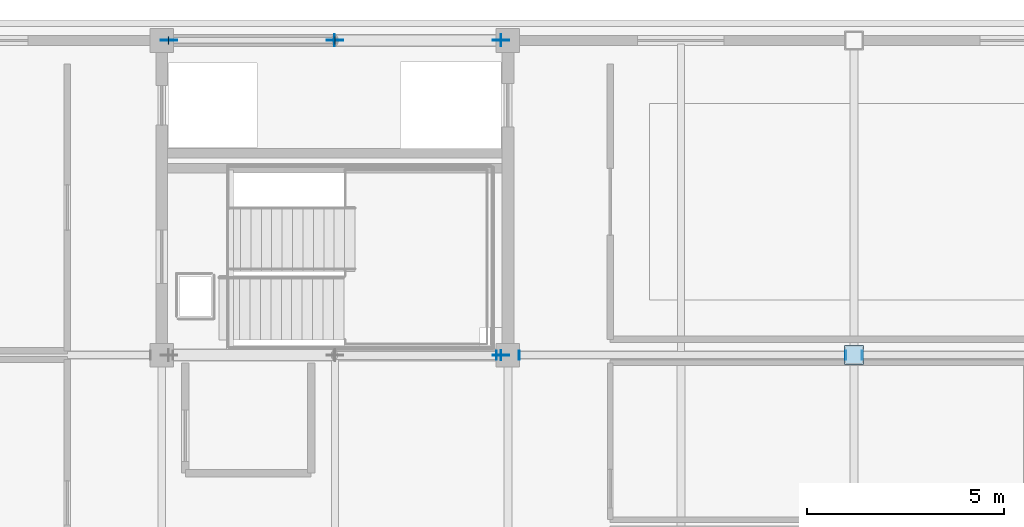
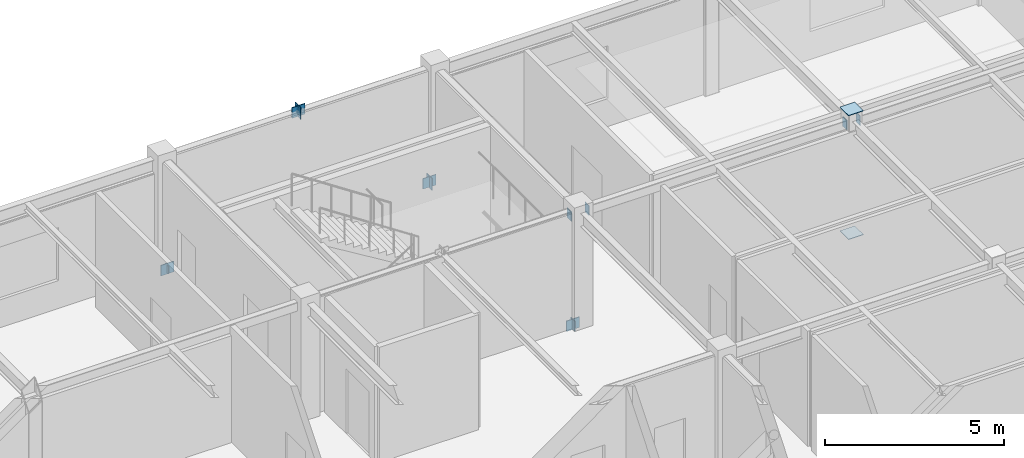
# One storey, part 10 of 18: 15 plates.
"""IFC4 building model written with IfcOpenShell, lengths in metres."""

import ifcopenshell
import ifcopenshell.guid

model = None  # the IFC model being written
_history = None  # IfcOwnerHistory: only IFC2X3 demands one
_inside = {}  # id of a spatial element -> (the spatial element, [elements in it])
_under = {}  # id of a project, library or spatial element -> (it, [spatial elements below it])
_declared = {}  # id of a project -> (the project, [libraries it declares])
_typed = {}  # id of a type object -> (the type object, [elements of that type])
_made_of = {}  # id of a material, layer set ... -> (it, [elements and type objects made of it])


def new_model(schema):
    """Start an empty IFC model of exactly this schema.

    Asked for "IFC4X3", IfcOpenShell would pick the latest addendum, in which some entities
    have other attributes; the version numbers below select the first issue.
    IFC2X3 requires an IfcOwnerHistory on every rooted entity: one is made here for all.
    """
    global model, _history
    if schema == "IFC4X3":
        model = ifcopenshell.file(schema_version=(4, 3, 0, 0))
    else:
        model = ifcopenshell.file(schema=schema)
    _inside.clear()
    _under.clear()
    _declared.clear()
    _typed.clear()
    _made_of.clear()
    _history = None
    if model.schema == "IFC2X3":
        org = make("IfcOrganization", Name="unknown")
        user = make(
            "IfcPersonAndOrganization",
            ThePerson=make("IfcPerson", FamilyName="unknown"),
            TheOrganization=org,
        )
        app = make(
            "IfcApplication",
            ApplicationDeveloper=org,
            Version="unknown",
            ApplicationFullName="unknown",
            ApplicationIdentifier="unknown",
        )
        _history = make(
            "IfcOwnerHistory",
            OwningUser=user,
            OwningApplication=app,
            ChangeAction="ADDED",
            CreationDate=0,
        )
    return model


def make(cls, **values):
    """One entity of the class cls with the attributes given. An attribute that is None is left unset."""
    return model.create_entity(
        cls, **{name: value for name, value in values.items() if value is not None}
    )


def rooted(cls, **values):
    """An entity with a GlobalId (a new one), such as an element, a storey or a relation."""
    return make(cls, GlobalId=ifcopenshell.guid.new(), OwnerHistory=_history, **values)


def si_unit(unit_type, name, prefix=None):
    """IfcSIUnit, for example si_unit("LENGTHUNIT", "METRE", prefix="MILLI")."""
    return make("IfcSIUnit", UnitType=unit_type, Prefix=prefix, Name=name)


def assignment(units):
    """IfcUnitAssignment: the units of a project."""
    return None if units is None else make("IfcUnitAssignment", Units=units)


def point(xyz):
    """IfcCartesianPoint."""
    return None if xyz is None else make("IfcCartesianPoint", Coordinates=xyz)


def direction(xyz):
    """IfcDirection."""
    return None if xyz is None else make("IfcDirection", DirectionRatios=xyz)


def frame(location, z_axis=None, x_axis=None):
    """IfcAxis2Placement3D, a coordinate frame: its origin and axes. An axis left out is left unset."""
    return make(
        "IfcAxis2Placement3D",
        Location=point(location),
        Axis=direction(z_axis),
        RefDirection=direction(x_axis),
    )


def frame_2d(location, x_axis=None):
    """IfcAxis2Placement2D, a coordinate frame in the plane: its origin and x axis."""
    return make(
        "IfcAxis2Placement2D", Location=point(location), RefDirection=direction(x_axis)
    )


def origin():
    """The frame at (0, 0, 0) with its axes left unset."""
    return frame((0.0, 0.0, 0.0))


def origin_2d():
    """The frame at (0, 0) in the plane with its x axis left unset."""
    return frame_2d((0.0, 0.0))


def place(relative_to, where):
    """IfcLocalPlacement: puts the frame where relative to a parent placement (None: the world)."""
    return make(
        "IfcLocalPlacement", PlacementRelTo=relative_to, RelativePlacement=where
    )


def context(
    kind, dimensions, precision=None, world=None, true_north=None, identifier=None
):
    """IfcGeometricRepresentationContext, for example the 3D "Model" context."""
    return make(
        "IfcGeometricRepresentationContext",
        ContextIdentifier=identifier,
        ContextType=kind,
        CoordinateSpaceDimension=dimensions,
        Precision=precision,
        WorldCoordinateSystem=world,
        TrueNorth=true_north,
    )


def subcontext(parent, identifier, kind, view, scale=None):
    """IfcGeometricRepresentationSubContext, for example "Body" below "Model"."""
    return make(
        "IfcGeometricRepresentationSubContext",
        ContextIdentifier=identifier,
        ContextType=kind,
        ParentContext=parent,
        TargetScale=scale,
        TargetView=view,
    )


def project(units=None, contexts=None):
    """IfcProject with its units and contexts."""
    return rooted(
        "IfcProject",
        Name="project",
        RepresentationContexts=contexts,
        UnitsInContext=assignment(units),
    )


def spatial(cls, under=None, at=None, **own):
    """A site, building, storey or space (cls), placed at a placement, below another one or the project."""
    s = rooted(cls, ObjectPlacement=at, **own)
    if under is not None:
        _under.setdefault(under.id(), (under, []))[1].append(s)
    return s


def profile(cls, at=None, kind="AREA", **sizes):
    """A parametric profile (cls). Its sizes go by their IFC names, for example OverallWidth=200.0."""
    return make(cls, ProfileType=kind, Position=at, **sizes)


def rectangle(**sizes):
    """IfcRectangleProfileDef."""
    return profile("IfcRectangleProfileDef", **sizes)


def extrude(swept, where, along, depth):
    """IfcExtrudedAreaSolid: the profile swept, set in the frame where, extruded along a direction by depth."""
    return make(
        "IfcExtrudedAreaSolid",
        SweptArea=swept,
        Position=where,
        ExtrudedDirection=direction(along),
        Depth=depth,
    )


def shape(context_of_items, identifier, shape_type, items):
    """IfcShapeRepresentation: the items that make up one representation, for example the "Body"."""
    return make(
        "IfcShapeRepresentation",
        ContextOfItems=context_of_items,
        RepresentationIdentifier=identifier,
        RepresentationType=shape_type,
        Items=items,
    )


def material(Name=None, Category=None):
    """IfcMaterial."""
    return make("IfcMaterial", Name=Name, Category=Category)


def layer(
    of_material, thickness, ventilated=None, Name=None, Category=None, Priority=None
):
    """IfcMaterialLayer: one layer of a wall or slab, of a material (None: an air gap)."""
    return make(
        "IfcMaterialLayer",
        Material=of_material,
        LayerThickness=thickness,
        IsVentilated=ventilated,
        Name=Name,
        Category=Category,
        Priority=Priority,
    )


def layer_set(layers, Name=None):
    """IfcMaterialLayerSet."""
    return make("IfcMaterialLayerSet", MaterialLayers=layers, LayerSetName=Name)


def made_of(thing, what):
    """Note that an element or type object is made of a material, layer set ...; save() writes the relation."""
    if what is not None:
        _made_of.setdefault(what.id(), (what, []))[1].append(thing)
    return thing


def type_object(cls, material=None, **own):
    """A type object (cls), such as IfcWallType, which elements share."""
    return made_of(rooted(cls, **own), material)


def element(
    cls,
    number,
    at=None,
    inside=None,
    cuts=None,
    type_object=None,
    material=None,
    context=None,
    identifier="Body",
    shape_type=None,
    held_by="IfcProductDefinitionShape",
    body=None,
    shapes=None,
    **own,
):
    """One element of the class cls, such as IfcWall. Its Tag is "e" and its number.

    at: its placement. inside: the storey or other place that contains it. cuts: it is an
    opening in that element (IfcRelVoidsElement). A single representation is given by context,
    identifier, shape_type and body (its items); several are given by shapes. held_by: the class
    of the entity that holds the representations. save() writes the other relations.
    """
    e = rooted(cls, Tag="e%d" % number, ObjectPlacement=at, **own)
    if body is not None:
        shapes = [shape(context, identifier, shape_type, body)]
    if shapes is not None:
        e.Representation = make(held_by, Representations=shapes)
    if inside is not None:
        _inside.setdefault(inside.id(), (inside, []))[1].append(e)
    if cuts is not None:
        rooted(
            "IfcRelVoidsElement", RelatingBuildingElement=cuts, RelatedOpeningElement=e
        )
    if type_object is not None:
        _typed.setdefault(type_object.id(), (type_object, []))[1].append(e)
    return made_of(e, material)


def aggregate(whole, parts):
    """IfcRelAggregates: a whole, such as a stair, and the parts it consists of."""
    return rooted("IfcRelAggregates", RelatingObject=whole, RelatedObjects=parts)


def save(model, path):
    """Write the relations noted so far, then the file.

    IfcRelAggregates (storeys below a building ...), IfcRelContainedInSpatialStructure (elements
    in a storey), IfcRelDefinesByType, IfcRelAssociatesMaterial and IfcRelDeclares: one each for
    every whole, place, type object, material and project.
    """
    for whole, parts in _under.values():
        aggregate(whole, parts)
    for where, things in _inside.values():
        rooted(
            "IfcRelContainedInSpatialStructure",
            RelatedElements=things,
            RelatingStructure=where,
        )
    for kind, things in _typed.values():
        rooted("IfcRelDefinesByType", RelatedObjects=things, RelatingType=kind)
    for what, things in _made_of.values():
        rooted("IfcRelAssociatesMaterial", RelatedObjects=things, RelatingMaterial=what)
    for by, libraries in _declared.values():
        rooted("IfcRelDeclares", RelatingContext=by, RelatedDefinitions=libraries)
    model.write(path)


model = new_model("IFC4")

# Units and contexts
model_context = context("Model", 3, precision=1e-05, world=origin(), true_north=direction((0.0, 1.0)))
body_context = subcontext(model_context, "Body", "Model", "MODEL_VIEW")
ifc_project = project(units=[si_unit("LENGTHUNIT", "METRE"), si_unit("AREAUNIT", "SQUARE_METRE"), si_unit("VOLUMEUNIT", "CUBIC_METRE"), si_unit("PLANEANGLEUNIT", "RADIAN"), si_unit("MASSUNIT", "GRAM", prefix="KILO")], contexts=[model_context])

# Site, building, storey
site_placement = place(None, origin())
site = spatial("IfcSite", under=ifc_project, at=site_placement, CompositionType="ELEMENT")
building_placement = place(site_placement, origin())
building = spatial("IfcBuilding", under=site, at=building_placement, Name="Zhaolan Boulevard Law Courts", CompositionType="ELEMENT")
storey_placement = place(building_placement, frame((0.0, 0.0, 33.0)))
storey = spatial("IfcBuildingStorey", under=building, at=storey_placement, Name="L07", CompositionType="ELEMENT", Elevation=33.0)

# Plates
ifc_material_1 = material(Name="Structural steel Q355B", Category="steel")
ifc_layer_1 = layer(ifc_material_1, 0.02392578125)
ifc_layer_set_1 = layer_set([ifc_layer_1])
plate_type_1 = type_object("IfcPlateType", Name="BRACE GUSSET PLATE 24", PredefinedType="SHEET", material=ifc_layer_set_1)
for number, where, z_axis, x_axis, name in (
    (1, (17.780029296875, 70.0, -0.14990234375), (0.0, 0.0, 1.0), (1.0, 0.0, 0.0), "Brace Gusset Connection Plate GP-W2-L07-NA1"),
    (2, (26.219970703125, 70.0, -0.14990234375), (0.0, 0.0, 1.0), (1.0, 0.0, 0.0), "Brace Gusset Connection Plate GP-W2-L07-NA2"),
    (3, (22.0, 70.0, 3.73974609375), (0.0, 0.0, 1.0), (1.0, 0.0, 0.0), "Brace Gusset Connection Plate GP-W2-L07-NAPX"),
    (4, (26.219970703125, 62.0, -0.14990234375), (0.0, 0.0, 1.0), (1.0, 0.0, 0.0), "Brace Gusset Connection Plate GP-W2-L07-SA2"),
):
    element("IfcPlate", number, at=place(storey_placement, frame(where, z_axis=z_axis, x_axis=x_axis)), inside=storey, type_object=plate_type_1, Name=name, PredefinedType="SHEET", context=body_context, shape_type="SweptSolid", body=[
        extrude(rectangle(XDim=0.419921875, YDim=0.02392578125, at=origin_2d()), origin(), (0.0, 0.0, 1.0), 0.360107421875),
    ])
ifc_material_2 = material(Name="Structural steel Q355B", Category="steel")
ifc_layer_2 = layer(ifc_material_2, 0.02001953125)
ifc_layer_set_2 = layer_set([ifc_layer_2])
plate_type_2 = type_object("IfcPlateType", Name="END CAP PLATE 20", PredefinedType="SHEET", material=ifc_layer_set_2)
for number, where, z_axis, x_axis, name in (
    (5, (35.199951171875, 62.0, -0.01806640625), (0.0, 0.0, 1.0), (1.0, 0.0, 0.0), "Hollow Section End-Cap Plate ECP-0459"),
    (6, (35.199951171875, 62.0, 4.197998046875), (0.0, 0.0, 1.0), (1.0, 0.0, 0.0), "Hollow Section End-Cap Plate ECP-0460"),
):
    element("IfcPlate", number, at=place(storey_placement, frame(where, z_axis=z_axis, x_axis=x_axis)), inside=storey, type_object=plate_type_2, Name=name, PredefinedType="SHEET", context=body_context, shape_type="SweptSolid", body=[
        extrude(rectangle(XDim=0.47998046875, YDim=0.47998046875, at=origin_2d()), origin(), (0.0, 0.0, 1.0), 0.02001953125),
    ])
for number, where, z_axis, x_axis, name in (
    (7, (26.112060546875, 62.0, 3.633056640625), (0.0, 0.0, 1.0), (1.0, 0.0, 0.0), "Hollow Section End-Cap Plate ECP-1034"),
    (8, (26.68798828125, 62.0, 3.633056640625), (0.0, 0.0, 1.0), (1.0, 0.0, 0.0), "Hollow Section End-Cap Plate ECP-1035"),
    (9, (34.987060546875, 62.0, 3.633056640625), (0.0, 0.0, 1.0), (1.0, 0.0, 0.0), "Hollow Section End-Cap Plate ECP-1036"),
    (10, (35.4130859375, 62.0, 3.633056640625), (0.0, 0.0, 1.0), (1.0, 0.0, 0.0), "Hollow Section End-Cap Plate ECP-1037"),
):
    element("IfcPlate", number, at=place(storey_placement, frame(where, z_axis=z_axis, x_axis=x_axis)), inside=storey, type_object=plate_type_2, Name=name, PredefinedType="SHEET", context=body_context, shape_type="SweptSolid", body=[
        extrude(rectangle(XDim=0.02001953125, YDim=0.22998046875, at=origin_2d()), origin(), (0.0, 0.0, 1.0), 0.330078125),
    ])
for number, where, z_axis, x_axis, name in (
    (11, (17.774169921875, 70.0, -0.1044921875), (0.0, 0.0, 1.0), (1.0, 0.0, 0.0), "Hollow Section End-Cap Plate ECP-1199"),
    (12, (22.005859375, 70.0, 3.79638671875), (0.0, 0.0, 1.0), (1.0, 0.0, 0.0), "Hollow Section End-Cap Plate ECP-1200"),
):
    element("IfcPlate", number, at=place(storey_placement, frame(where, z_axis=z_axis, x_axis=x_axis)), inside=storey, type_object=plate_type_2, Name=name, PredefinedType="SHEET", context=body_context, shape_type="SweptSolid", body=[
        extrude(rectangle(XDim=0.02001953125, YDim=0.18994140625, at=origin_2d()), origin(), (0.0, 0.0, 1.0), 0.258056640625),
    ])
for number, where, z_axis, x_axis, name in (
    (13, (26.225830078125, 70.0, -0.181396484375), (0.0, 0.0, 1.0), (-1.0, 0.0, 0.0), "Hollow Section End-Cap Plate ECP-1201"),
    (14, (21.994140625, 70.0, 3.71923828125), (0.0, 0.0, 1.0), (-1.0, 0.0, 0.0), "Hollow Section End-Cap Plate ECP-1202"),
):
    element("IfcPlate", number, at=place(storey_placement, frame(where, z_axis=z_axis, x_axis=x_axis)), inside=storey, type_object=plate_type_2, Name=name, PredefinedType="SHEET", context=body_context, shape_type="SweptSolid", body=[
        extrude(rectangle(XDim=0.02001953125, YDim=0.302978515625, at=origin_2d()), origin(), (0.0, 0.0, 1.0), 0.412109375),
    ])
plate_placement = place(storey_placement, frame((26.225830078125, 62.0, -0.14501953125), z_axis=(0.0, 0.0, 1.0), x_axis=(-1.0, 0.0, 0.0)))
element("IfcPlate", 15, at=plate_placement, inside=storey, type_object=plate_type_2, Name="Hollow Section End-Cap Plate ECP-1205", PredefinedType="SHEET", context=body_context, shape_type="SweptSolid", body=[
    extrude(rectangle(XDim=0.02001953125, YDim=0.2490234375, at=origin_2d()), origin(), (0.0, 0.0, 1.0), 0.339111328125),
])

save(model, "model.ifc")
